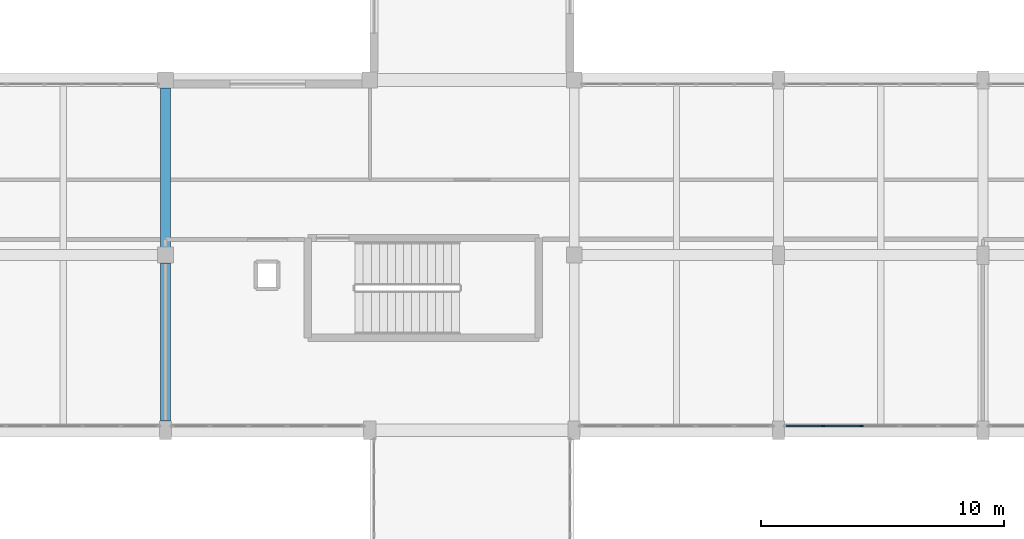
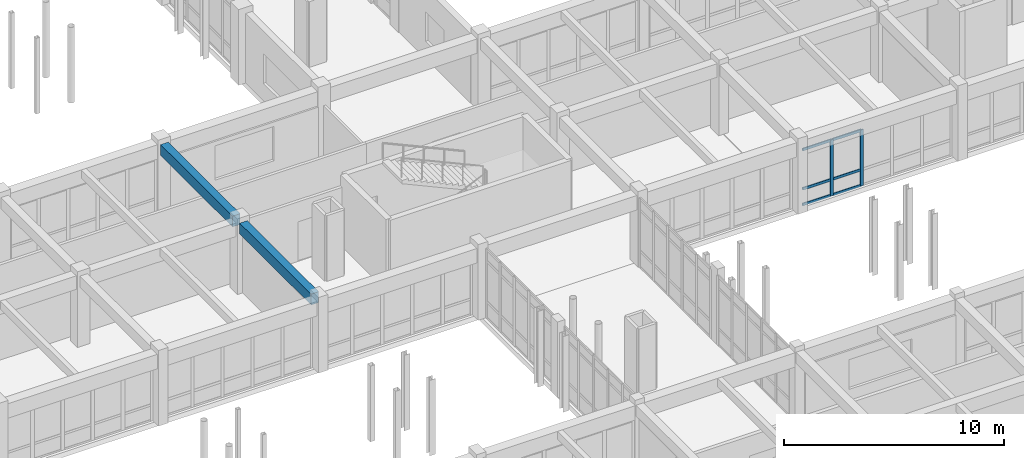
# One storey, part 67 of 147: 8 members, 2 beams, 1 element without a shape of its own.
"""IFC4 building model written with IfcOpenShell, lengths in metres."""

from ifc_helpers import new_model, si_unit, direction, frame, origin, origin_2d, place, context, subcontext, project, spatial, rectangle, extrude, material, material_profile, profile_set, type_object, element, aggregate, save


model = new_model("IFC4")

# Units and contexts
model_context = context("Model", 3, precision=1e-05, world=origin(), true_north=direction((0.0, 1.0)))
body_context = subcontext(model_context, "Body", "Model", "MODEL_VIEW")
ifc_project = project(units=[si_unit("LENGTHUNIT", "METRE"), si_unit("AREAUNIT", "SQUARE_METRE"), si_unit("VOLUMEUNIT", "CUBIC_METRE"), si_unit("PLANEANGLEUNIT", "RADIAN"), si_unit("MASSUNIT", "GRAM", prefix="KILO")], contexts=[model_context])

# Site, building, storey
site_placement = place(None, origin())
site = spatial("IfcSite", under=ifc_project, at=site_placement, CompositionType="ELEMENT")
building_placement = place(site_placement, origin())
building = spatial("IfcBuilding", under=site, at=building_placement, Name="Malvenik Polytechnic", CompositionType="ELEMENT")
storey_placement = place(building_placement, frame((0.0, 0.0, 5.10009765625)))
storey = spatial("IfcBuildingStorey", under=building, at=storey_placement, Name="L01", CompositionType="ELEMENT", Elevation=5.10009765625)

# Curtain wall, members
ifc_material_1 = material(Name="Anodised aluminium 6060-T6", Category="aluminium")
curtain_wall_type = type_object("IfcCurtainWallType", Name="ARC-CW-CW-02", PredefinedType="NOTDEFINED", material=ifc_material_1)
curtain_wall_placement = place(storey_placement, origin())
curtain_wall = element("IfcCurtainWall", 1, at=curtain_wall_placement, inside=storey, type_object=curtain_wall_type, Name="Unitised Curtain Wall CW-02 L01 #80", PredefinedType="NOTDEFINED")
ifc_material_2 = material(Name="Anodised aluminium", Category="aluminium")
ifc_material_profile_1 = material_profile(ifc_material_2, rectangle(XDim=0.06005859375, YDim=0.159912109375, at=origin_2d()), Name="ALU MULLION 60x160")
ifc_profile_set_1 = profile_set([ifc_material_profile_1], Name="Anodised aluminium")
member_type_1 = type_object("IfcMemberType", Name="ARC-CWM-160", PredefinedType="MULLION", material=ifc_profile_set_1)
member_1_placement = place(storey_placement, frame((95.8095703125, 79.3701171875, 0.0), z_axis=(0.0, 0.0, 1.0), x_axis=(0.0, -1.0, 0.0)))
member_1 = element("IfcMember", 2, at=member_1_placement, type_object=member_type_1, Name="CW-02 mullion 4", PredefinedType="MULLION", context=body_context, shape_type="SweptSolid", body=[
    extrude(rectangle(XDim=0.06005859375, YDim=0.159912109375, at=origin_2d()), origin(), (0.0, 0.0, 1.0), 3.10986328125),
])
member_2_placement = place(storey_placement, frame((94.228759765625, 79.3701171875, 0.0), z_axis=(0.0, 0.0, 1.0), x_axis=(0.0, -1.0, 0.0)))
member_2 = element("IfcMember", 3, at=member_2_placement, type_object=member_type_1, Name="CW-02 mullion 5", PredefinedType="MULLION", context=body_context, shape_type="SweptSolid", body=[
    extrude(rectangle(XDim=0.06005859375, YDim=0.159912109375, at=origin_2d()), origin(), (0.0, 0.0, 1.0), 3.10986328125),
])
ifc_material_profile_2 = material_profile(ifc_material_2, rectangle(XDim=0.06005859375, YDim=0.139892578125, at=origin_2d()), Name="ALU TRANSOM 60x140")
ifc_profile_set_2 = profile_set([ifc_material_profile_2], Name="Anodised aluminium")
member_type_2 = type_object("IfcMemberType", Name="ARC-CWT-140", PredefinedType="USERDEFINED", material=ifc_profile_set_2)
member_3_placement = place(storey_placement, frame((95.779541015625, 79.3701171875, 0.02978515625), z_axis=(-1.0, 0.0, 0.0), x_axis=(0.0, -1.0, 0.0)))
member_3 = element("IfcMember", 4, at=member_3_placement, type_object=member_type_2, Name="CW-02 transom 4.1", ObjectType="TRANSOM", PredefinedType="USERDEFINED", context=body_context, shape_type="SweptSolid", body=[
    extrude(rectangle(XDim=0.06005859375, YDim=0.139892578125, at=origin_2d()), origin(), (0.0, 0.0, 1.0), 1.520751953125),
])
member_4_placement = place(storey_placement, frame((95.779541015625, 79.3701171875, 0.89990234375), z_axis=(-1.0, 0.0, 0.0), x_axis=(0.0, -1.0, 0.0)))
member_4 = element("IfcMember", 5, at=member_4_placement, type_object=member_type_2, Name="CW-02 transom 4.2", ObjectType="TRANSOM", PredefinedType="USERDEFINED", context=body_context, shape_type="SweptSolid", body=[
    extrude(rectangle(XDim=0.06005859375, YDim=0.139892578125, at=origin_2d()), origin(), (0.0, 0.0, 1.0), 1.520751953125),
])
member_5_placement = place(storey_placement, frame((95.779541015625, 79.3701171875, 3.079833984375), z_axis=(-1.0, 0.0, 0.0), x_axis=(0.0, -1.0, 0.0)))
member_5 = element("IfcMember", 6, at=member_5_placement, type_object=member_type_2, Name="CW-02 transom 4.3", ObjectType="TRANSOM", PredefinedType="USERDEFINED", context=body_context, shape_type="SweptSolid", body=[
    extrude(rectangle(XDim=0.06005859375, YDim=0.139892578125, at=origin_2d()), origin(), (0.0, 0.0, 1.0), 1.520751953125),
])
member_6_placement = place(storey_placement, frame((94.19873046875, 79.3701171875, 0.02978515625), z_axis=(-1.0, 0.0, 0.0), x_axis=(0.0, -1.0, 0.0)))
member_6 = element("IfcMember", 7, at=member_6_placement, type_object=member_type_2, Name="CW-02 transom 5.1", ObjectType="TRANSOM", PredefinedType="USERDEFINED", context=body_context, shape_type="SweptSolid", body=[
    extrude(rectangle(XDim=0.06005859375, YDim=0.139892578125, at=origin_2d()), origin(), (0.0, 0.0, 1.0), 1.49072265625),
])
member_7_placement = place(storey_placement, frame((94.19873046875, 79.3701171875, 0.89990234375), z_axis=(-1.0, 0.0, 0.0), x_axis=(0.0, -1.0, 0.0)))
member_7 = element("IfcMember", 8, at=member_7_placement, type_object=member_type_2, Name="CW-02 transom 5.2", ObjectType="TRANSOM", PredefinedType="USERDEFINED", context=body_context, shape_type="SweptSolid", body=[
    extrude(rectangle(XDim=0.06005859375, YDim=0.139892578125, at=origin_2d()), origin(), (0.0, 0.0, 1.0), 1.49072265625),
])
member_8_placement = place(storey_placement, frame((94.19873046875, 79.3701171875, 3.079833984375), z_axis=(-1.0, 0.0, 0.0), x_axis=(0.0, -1.0, 0.0)))
member_8 = element("IfcMember", 9, at=member_8_placement, type_object=member_type_2, Name="CW-02 transom 5.3", ObjectType="TRANSOM", PredefinedType="USERDEFINED", context=body_context, shape_type="SweptSolid", body=[
    extrude(rectangle(XDim=0.06005859375, YDim=0.139892578125, at=origin_2d()), origin(), (0.0, 0.0, 1.0), 1.49072265625),
])
aggregate(curtain_wall, [member_1, member_2, member_3, member_4, member_5, member_6, member_7, member_8])

# Beams
ifc_material_3 = material(Name="Concrete C35/45", Category="concrete")
ifc_material_profile_3 = material_profile(ifc_material_3, rectangle(XDim=0.39990234375, YDim=0.60009765625, at=origin_2d()), Name="RC BM 400x600")
ifc_profile_set_3 = profile_set([ifc_material_profile_3], Name="Concrete C35/45")
beam_type = type_object("IfcBeamType", Name="STR-BM-B-06", PredefinedType="BEAM", material=ifc_profile_set_3)
beam_1_placement = place(storey_placement, frame((67.199951171875, 79.572998046875, 3.619873046875), z_axis=(0.0, 1.0, 0.0), x_axis=(-1.0, 0.0, 0.0)))
element("IfcBeam", 10, at=beam_1_placement, inside=storey, type_object=beam_type, Name="Transverse Beam B-06 L01 #1175", PredefinedType="BEAM", context=body_context, shape_type="SweptSolid", body=[
    extrude(rectangle(XDim=0.39990234375, YDim=0.60009765625, at=origin_2d()), origin(), (0.0, 0.0, 1.0), 6.50390625),
])
beam_2_placement = place(storey_placement, frame((67.199951171875, 86.722900390625, 3.619873046875), z_axis=(0.0, 1.0, 0.0), x_axis=(-1.0, 0.0, 0.0)))
element("IfcBeam", 11, at=beam_2_placement, inside=storey, type_object=beam_type, Name="Transverse Beam B-06 L01 #1176", PredefinedType="BEAM", context=body_context, shape_type="SweptSolid", body=[
    extrude(rectangle(XDim=0.39990234375, YDim=0.60009765625, at=origin_2d()), origin(), (0.0, 0.0, 1.0), 6.55419921875),
])

save(model, "model.ifc")
